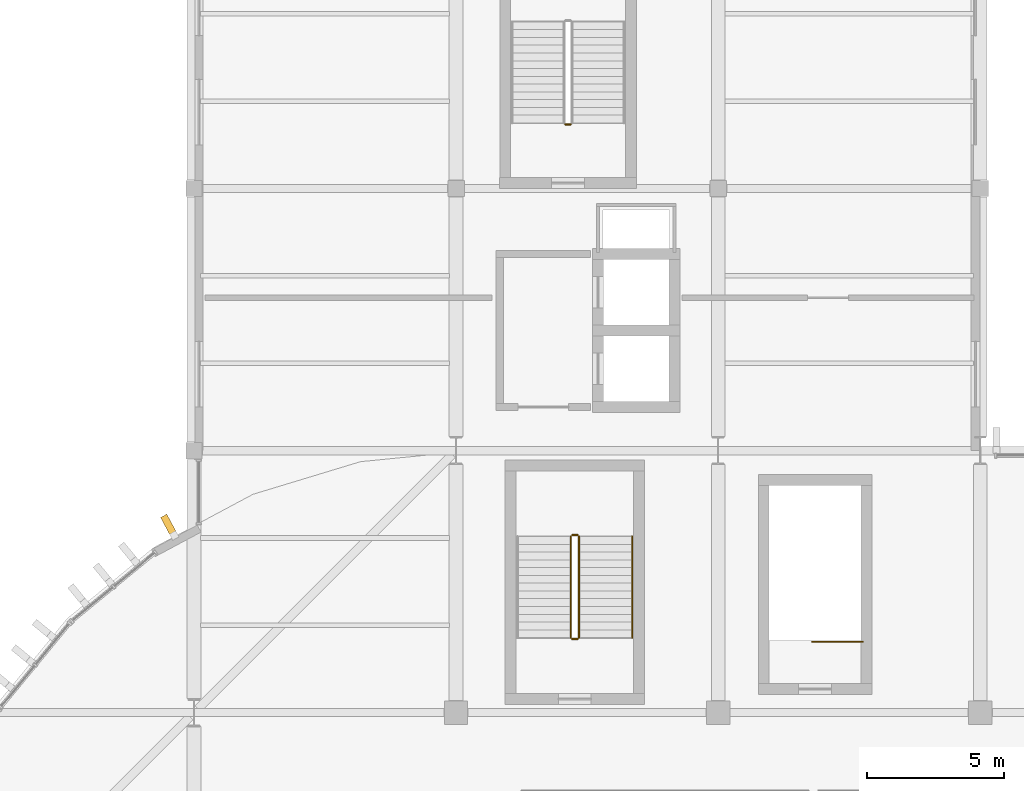
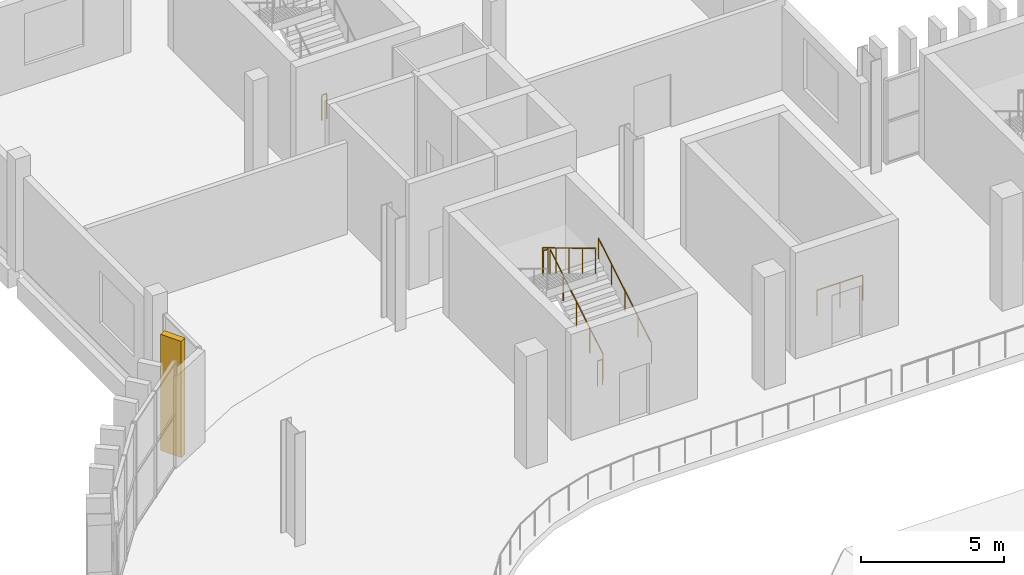
# One storey, part 88 of 99: 7 railings, 1 covering.
"""IFC4 building model written with IfcOpenShell, lengths in metres."""

from ifc_helpers import new_model, si_unit, direction, frame, origin, origin_2d, place, context, subcontext, project, spatial, rectangle, circle, extrude, material, material_profile, profile_set, type_object, element, save


model = new_model("IFC4")

# Units and contexts
model_context = context("Model", 3, precision=1e-05, world=origin(), true_north=direction((0.0, 1.0)))
body_context = subcontext(model_context, "Body", "Model", "MODEL_VIEW")
ifc_project = project(units=[si_unit("LENGTHUNIT", "METRE"), si_unit("AREAUNIT", "SQUARE_METRE"), si_unit("VOLUMEUNIT", "CUBIC_METRE"), si_unit("PLANEANGLEUNIT", "RADIAN"), si_unit("MASSUNIT", "GRAM", prefix="KILO")], contexts=[model_context])

# Site, building, storey
site_placement = place(None, origin())
site = spatial("IfcSite", under=ifc_project, at=site_placement, CompositionType="ELEMENT")
building_placement = place(site_placement, origin())
building = spatial("IfcBuilding", under=site, at=building_placement, Name="Caelomonte Colonnade Arena", CompositionType="ELEMENT")
storey_placement = place(building_placement, frame((0.0, 0.0, 4.800048828125)))
storey = spatial("IfcBuildingStorey", under=building, at=storey_placement, Name="L01", CompositionType="ELEMENT", Elevation=4.800048828125)

# Covering
ifc_material_1 = material(Name="Precast travertine cladding", Category="masonry")
ifc_material_profile = material_profile(ifc_material_1, rectangle(XDim=0.260009765625, YDim=0.85009765625, at=origin_2d()), Name="FIN260X850")
ifc_profile_set = profile_set([ifc_material_profile], Name="Precast travertine cladding")
covering_type = type_object("IfcCoveringType", Name="ENV-FN-SHAFT", PredefinedType="CLADDING", material=ifc_profile_set)
covering_placement = place(storey_placement, frame((66.29150390625, 112.436767578125, -0.16015625), z_axis=(0.0, 0.0, 1.0), x_axis=(0.881921264348, 0.471396736826, 0.0)))
element("IfcCovering", 1, at=covering_placement, inside=storey, type_object=covering_type, Name="V1 L01 classical travertine vertical fin 155", PredefinedType="CLADDING", context=body_context, shape_type="SweptSolid", body=[
    extrude(rectangle(XDim=0.260009765625, YDim=0.85009765625, at=origin_2d()), origin(), (0.0, 0.0, 1.0), 4.960205078125),
])

# Railings
ifc_material_2 = material(Name="Painted galvanized steel stair guard", Category="steel")
railing_type_1 = type_object("IfcRailingType", Name="INT-RL-GRD", PredefinedType="GUARDRAIL", material=ifc_material_2)
railing_1_placement = place(storey_placement, frame((81.0, 127.14990234375, 0.0)))
element("IfcRailing", 2, at=railing_1_placement, inside=storey, type_object=railing_type_1, Name="L01 ST-07 stair guard 4", PredefinedType="GUARDRAIL", context=body_context, shape_type="SweptSolid", body=[
    extrude(circle(Radius=0.02392578125, at=origin_2d()), frame((0.0, 0.0, 1.076171875), z_axis=(-1.0, 0.0, 0.0), x_axis=(0.0, -1.0, 0.0)), (0.0, 0.0, 1.0), 0.199951171875),
    extrude(circle(Radius=0.02099609375, at=origin_2d()), origin(), (0.0, 0.0, 1.0), 1.048095703125),
    extrude(circle(Radius=0.02099609375, at=origin_2d()), frame((-0.199951171875, 0.0, 0.0)), (0.0, 0.0, 1.0), 1.048095703125),
])
railing_2_placement = place(storey_placement, frame((81.300048828125, 108.35009765625, 0.17138671875)))
element("IfcRailing", 3, at=railing_2_placement, inside=storey, type_object=railing_type_1, Name="L01 ST-14 stair guard 1", PredefinedType="GUARDRAIL", context=body_context, shape_type="SweptSolid", body=[
    extrude(circle(Radius=0.02392578125, at=origin_2d()), frame((0.0, 0.0, 1.076171875), z_axis=(0.0, 0.856919398105, 0.515450429384), x_axis=(-1.0, 0.0, 0.0)), (0.0, 0.0, 1.0), 4.323486328125),
    extrude(circle(Radius=0.02099609375, at=origin_2d()), origin(), (0.0, 0.0, 1.0), 1.048095703125),
    extrude(circle(Radius=0.02099609375, at=origin_2d()), frame((0.0, 0.92626953125, 0.55712890625)), (0.0, 0.0, 1.0), 1.048095703125),
    extrude(circle(Radius=0.02099609375, at=origin_2d()), frame((0.0, 1.8525390625, 1.1142578125)), (0.0, 0.0, 1.0), 1.048095703125),
    extrude(circle(Radius=0.02099609375, at=origin_2d()), frame((0.0, 2.778564453125, 1.67138671875)), (0.0, 0.0, 1.0), 1.048095703125),
    extrude(circle(Radius=0.02099609375, at=origin_2d()), frame((0.0, 3.704833984375, 2.228515625)), (0.0, 0.0, 1.0), 1.048095703125),
])
railing_3_placement = place(storey_placement, frame((81.25, 112.10498046875, 2.39990234375)))
element("IfcRailing", 4, at=railing_3_placement, inside=storey, type_object=railing_type_1, Name="L01 ST-14 stair guard 2", PredefinedType="GUARDRAIL", context=body_context, shape_type="SweptSolid", body=[
    extrude(circle(Radius=0.02392578125, at=origin_2d()), frame((0.0, 0.0, 1.076171875), z_axis=(-1.0, 0.0, 0.0), x_axis=(0.0, -1.0, 0.0)), (0.0, 0.0, 1.0), 0.199951171875),
    extrude(circle(Radius=0.02099609375, at=origin_2d()), origin(), (0.0, 0.0, 1.0), 1.048095703125),
    extrude(circle(Radius=0.02099609375, at=origin_2d()), frame((-0.199951171875, 0.0, 0.0)), (0.0, 0.0, 1.0), 1.048095703125),
])
railing_4_placement = place(storey_placement, frame((81.0, 112.054931640625, 2.5712890625)))
element("IfcRailing", 5, at=railing_4_placement, inside=storey, type_object=railing_type_1, Name="L01 ST-14 stair guard 3", PredefinedType="GUARDRAIL", context=body_context, shape_type="SweptSolid", body=[
    extrude(circle(Radius=0.02392578125, at=origin_2d()), frame((0.0, 0.0, 1.076171875), z_axis=(0.0, -0.856894455432, 0.515491893485), x_axis=(1.0, 0.0, 0.0)), (0.0, 0.0, 1.0), 4.323486328125),
    extrude(circle(Radius=0.02099609375, at=origin_2d()), origin(), (0.0, 0.0, 1.0), 1.048095703125),
    extrude(circle(Radius=0.02099609375, at=origin_2d()), frame((0.0, -0.92626953125, 0.55712890625)), (0.0, 0.0, 1.0), 1.048095703125),
    extrude(circle(Radius=0.02099609375, at=origin_2d()), frame((0.0, -1.8525390625, 1.1142578125)), (0.0, 0.0, 1.0), 1.048095703125),
    extrude(circle(Radius=0.02099609375, at=origin_2d()), frame((0.0, -2.778564453125, 1.671630859375)), (0.0, 0.0, 1.0), 1.048095703125),
    extrude(circle(Radius=0.02099609375, at=origin_2d()), frame((0.0, -3.704833984375, 2.228759765625)), (0.0, 0.0, 1.0), 1.048095703125),
])
railing_5_placement = place(storey_placement, frame((81.25, 108.300048828125, 0.0)))
element("IfcRailing", 6, at=railing_5_placement, inside=storey, type_object=railing_type_1, Name="L01 ST-14 stair guard 4", PredefinedType="GUARDRAIL", context=body_context, shape_type="SweptSolid", body=[
    extrude(circle(Radius=0.02392578125, at=origin_2d()), frame((0.0, 0.0, 1.076171875), z_axis=(-1.0, 0.0, 0.0), x_axis=(0.0, -1.0, 0.0)), (0.0, 0.0, 1.0), 0.199951171875),
    extrude(circle(Radius=0.02099609375, at=origin_2d()), origin(), (0.0, 0.0, 1.0), 1.048095703125),
    extrude(circle(Radius=0.02099609375, at=origin_2d()), frame((-0.199951171875, 0.0, 0.0)), (0.0, 0.0, 1.0), 1.048095703125),
])
railing_6_placement = place(storey_placement, frame((91.699951171875, 108.199951171875, 0.0)))
element("IfcRailing", 7, at=railing_6_placement, inside=storey, type_object=railing_type_1, Name="L01 ST-V05 top well guard 1", PredefinedType="GUARDRAIL", context=body_context, shape_type="SweptSolid", body=[
    extrude(circle(Radius=0.02392578125, at=origin_2d()), frame((0.0, 0.0, 1.076171875), z_axis=(-1.0, 0.0, 0.0), x_axis=(0.0, -1.0, 0.0)), (0.0, 0.0, 1.0), 1.849853515625),
    extrude(circle(Radius=0.02099609375, at=origin_2d()), origin(), (0.0, 0.0, 1.0), 1.048095703125),
    extrude(circle(Radius=0.02099609375, at=origin_2d()), frame((-0.9248046875, 0.0, 0.0)), (0.0, 0.0, 1.0), 1.048095703125),
    extrude(circle(Radius=0.02099609375, at=origin_2d()), frame((-1.849853515625, 0.0, 0.0)), (0.0, 0.0, 1.0), 1.048095703125),
])
ifc_material_3 = material(Name="Brushed stainless steel stair handrail", Category="steel")
railing_type_2 = type_object("IfcRailingType", Name="INT-RL-HR", PredefinedType="HANDRAIL", material=ifc_material_3)
railing_7_placement = place(storey_placement, frame((83.25, 108.35009765625, 0.17138671875)))
element("IfcRailing", 8, at=railing_7_placement, inside=storey, type_object=railing_type_2, Name="L01 ST-14 stair handrail 1", PredefinedType="HANDRAIL", context=body_context, shape_type="SweptSolid", body=[
    extrude(circle(Radius=0.02392578125, at=origin_2d()), frame((0.0, 0.0, 0.8759765625), z_axis=(0.0, 0.856919398105, 0.515450429384), x_axis=(-1.0, 0.0, 0.0)), (0.0, 0.0, 1.0), 4.323486328125),
    extrude(circle(Radius=0.02099609375, at=origin_2d()), origin(), (0.0, 0.0, 1.0), 0.847900390625),
    extrude(circle(Radius=0.02099609375, at=origin_2d()), frame((0.0, 0.92626953125, 0.55712890625)), (0.0, 0.0, 1.0), 0.847900390625),
    extrude(circle(Radius=0.02099609375, at=origin_2d()), frame((0.0, 1.8525390625, 1.1142578125)), (0.0, 0.0, 1.0), 0.847900390625),
    extrude(circle(Radius=0.02099609375, at=origin_2d()), frame((0.0, 2.778564453125, 1.67138671875)), (0.0, 0.0, 1.0), 0.847900390625),
    extrude(circle(Radius=0.02099609375, at=origin_2d()), frame((0.0, 3.704833984375, 2.228515625)), (0.0, 0.0, 1.0), 0.847900390625),
])

save(model, "model.ifc")
